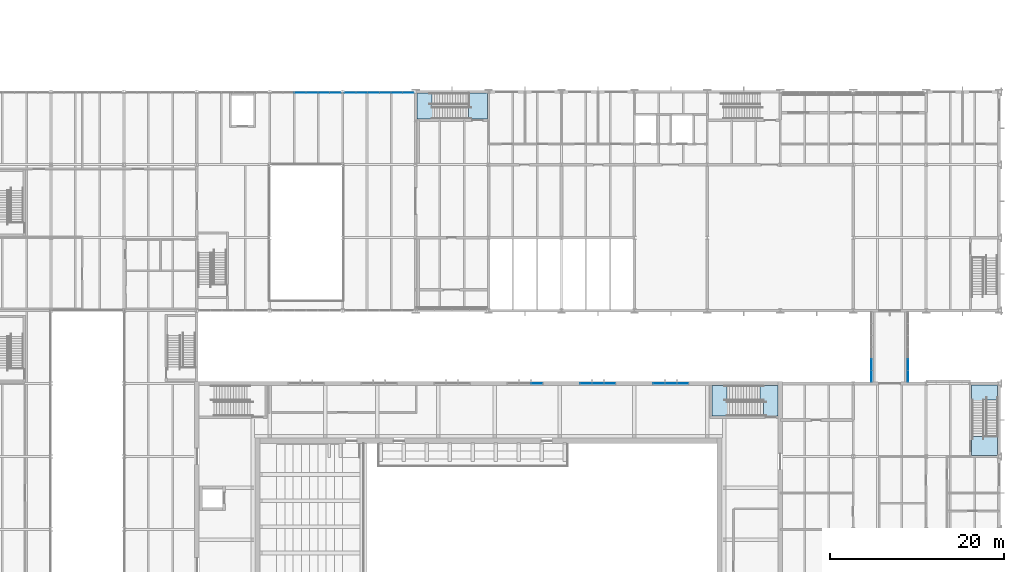
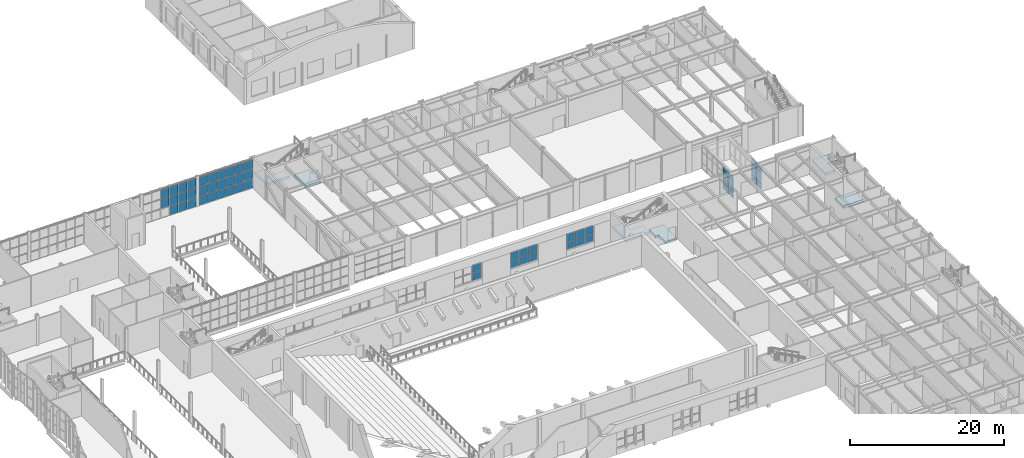
# One storey, part 63 of 127: 55 plates, 6 slabs, 10 elements without a shape of their own.
"""IFC4 building model written with IfcOpenShell, lengths in metres."""

from ifc_helpers import new_model, si_unit, direction, frame, origin, origin_2d, place, context, subcontext, project, spatial, polyline, rectangle, outline, extrude, material, layer, layer_set, type_object, element, aggregate, save


model = new_model("IFC4")

# Units and contexts
model_context = context("Model", 3, precision=1e-05, world=origin(), true_north=direction((0.0, 1.0)))
body_context = subcontext(model_context, "Body", "Model", "MODEL_VIEW")
ifc_project = project(units=[si_unit("LENGTHUNIT", "METRE"), si_unit("AREAUNIT", "SQUARE_METRE"), si_unit("VOLUMEUNIT", "CUBIC_METRE"), si_unit("PLANEANGLEUNIT", "RADIAN"), si_unit("MASSUNIT", "GRAM", prefix="KILO")], contexts=[model_context])

# Site, building, storey
site_placement = place(None, origin())
site = spatial("IfcSite", under=ifc_project, at=site_placement, CompositionType="ELEMENT")
building_placement = place(site_placement, origin())
building = spatial("IfcBuilding", under=site, at=building_placement, Name="Ljudholm Concert House", CompositionType="ELEMENT")
storey_placement = place(building_placement, frame((0.0, 0.0, 5.39990234375)))
storey = spatial("IfcBuildingStorey", under=building, at=storey_placement, Name="L01", CompositionType="ELEMENT", Elevation=5.39990234375)

# Curtain wall, plates
ifc_material_1 = material(Name="Aluminium curtain wall with impact-rated laminated glass", Category="aluminium")
curtain_wall_type_1 = type_object("IfcCurtainWallType", Name="CURTAIN WALL 1400", PredefinedType="NOTDEFINED", material=ifc_material_1)
curtain_wall_1_placement = place(storey_placement, origin())
curtain_wall_1 = element("IfcCurtainWall", 1, at=curtain_wall_1_placement, inside=storey, type_object=curtain_wall_type_1, Name="Promenade curtain wall", PredefinedType="NOTDEFINED")
ifc_material_2 = material(Name="Impact-rated laminated glass", Category="glass")
ifc_layer_1 = layer(ifc_material_2, 0.028076171875)
ifc_layer_set_1 = layer_set([ifc_layer_1], Name="Impact-rated laminated glass")
plate_type = type_object("IfcPlateType", Name="CURTAIN PANEL 28", PredefinedType="CURTAIN_PANEL", material=ifc_layer_set_1)
plate_1_placement = place(storey_placement, frame((68.364990234375, 96.39990234375, 0.960205078125), z_axis=(0.0, 0.0, 1.0), x_axis=(1.0, 0.0, 0.0)))
plate_1 = element("IfcPlate", 2, at=plate_1_placement, type_object=plate_type, Name="Curtain wall panel", PredefinedType="CURTAIN_PANEL", context=body_context, shape_type="SweptSolid", body=[
    extrude(rectangle(XDim=1.2900390625, YDim=0.028076171875, at=origin_2d()), origin(), (0.0, 0.0, 1.0), 1.2099609375),
])
plate_2_placement = place(storey_placement, frame((68.364990234375, 96.39990234375, 2.230224609375), z_axis=(0.0, 0.0, 1.0), x_axis=(1.0, 0.0, 0.0)))
plate_2 = element("IfcPlate", 3, at=plate_2_placement, type_object=plate_type, Name="Curtain wall panel", PredefinedType="CURTAIN_PANEL", context=body_context, shape_type="SweptSolid", body=[
    extrude(rectangle(XDim=1.2900390625, YDim=0.028076171875, at=origin_2d()), origin(), (0.0, 0.0, 1.0), 1.2099609375),
])
aggregate(curtain_wall_1, [plate_1, plate_2])

curtain_wall_2_placement = place(storey_placement, origin())
curtain_wall_2 = element("IfcCurtainWall", 4, at=curtain_wall_2_placement, inside=storey, type_object=curtain_wall_type_1, Name="Promenade curtain wall", PredefinedType="NOTDEFINED")
plate_3_placement = place(storey_placement, frame((74.034912109375, 96.39990234375, 0.960205078125), z_axis=(0.0, 0.0, 1.0), x_axis=(1.0, 0.0, 0.0)))
plate_3 = element("IfcPlate", 5, at=plate_3_placement, type_object=plate_type, Name="Curtain wall panel", PredefinedType="CURTAIN_PANEL", context=body_context, shape_type="SweptSolid", body=[
    extrude(rectangle(XDim=1.2900390625, YDim=0.028076171875, at=origin_2d()), origin(), (0.0, 0.0, 1.0), 1.2099609375),
])
plate_4_placement = place(storey_placement, frame((74.034912109375, 96.39990234375, 2.230224609375), z_axis=(0.0, 0.0, 1.0), x_axis=(1.0, 0.0, 0.0)))
plate_4 = element("IfcPlate", 6, at=plate_4_placement, type_object=plate_type, Name="Curtain wall panel", PredefinedType="CURTAIN_PANEL", context=body_context, shape_type="SweptSolid", body=[
    extrude(rectangle(XDim=1.2900390625, YDim=0.028076171875, at=origin_2d()), origin(), (0.0, 0.0, 1.0), 1.2099609375),
])
plate_5_placement = place(storey_placement, frame((75.39990234375, 96.39990234375, 0.960205078125), z_axis=(0.0, 0.0, 1.0), x_axis=(1.0, 0.0, 0.0)))
plate_5 = element("IfcPlate", 7, at=plate_5_placement, type_object=plate_type, Name="Curtain wall panel", PredefinedType="CURTAIN_PANEL", context=body_context, shape_type="SweptSolid", body=[
    extrude(rectangle(XDim=1.320068359375, YDim=0.028076171875, at=origin_2d()), origin(), (0.0, 0.0, 1.0), 1.2099609375),
])
plate_6_placement = place(storey_placement, frame((75.39990234375, 96.39990234375, 2.230224609375), z_axis=(0.0, 0.0, 1.0), x_axis=(1.0, 0.0, 0.0)))
plate_6 = element("IfcPlate", 8, at=plate_6_placement, type_object=plate_type, Name="Curtain wall panel", PredefinedType="CURTAIN_PANEL", context=body_context, shape_type="SweptSolid", body=[
    extrude(rectangle(XDim=1.320068359375, YDim=0.028076171875, at=origin_2d()), origin(), (0.0, 0.0, 1.0), 1.2099609375),
])
plate_7_placement = place(storey_placement, frame((76.764892578125, 96.39990234375, 0.960205078125), z_axis=(0.0, 0.0, 1.0), x_axis=(1.0, 0.0, 0.0)))
plate_7 = element("IfcPlate", 9, at=plate_7_placement, type_object=plate_type, Name="Curtain wall panel", PredefinedType="CURTAIN_PANEL", context=body_context, shape_type="SweptSolid", body=[
    extrude(rectangle(XDim=1.2900390625, YDim=0.028076171875, at=origin_2d()), origin(), (0.0, 0.0, 1.0), 1.2099609375),
])
plate_8_placement = place(storey_placement, frame((76.764892578125, 96.39990234375, 2.230224609375), z_axis=(0.0, 0.0, 1.0), x_axis=(1.0, 0.0, 0.0)))
plate_8 = element("IfcPlate", 10, at=plate_8_placement, type_object=plate_type, Name="Curtain wall panel", PredefinedType="CURTAIN_PANEL", context=body_context, shape_type="SweptSolid", body=[
    extrude(rectangle(XDim=1.2900390625, YDim=0.028076171875, at=origin_2d()), origin(), (0.0, 0.0, 1.0), 1.2099609375),
])
aggregate(curtain_wall_2, [plate_3, plate_4, plate_5, plate_6, plate_7, plate_8])

curtain_wall_3_placement = place(storey_placement, origin())
curtain_wall_3 = element("IfcCurtainWall", 11, at=curtain_wall_3_placement, inside=storey, type_object=curtain_wall_type_1, Name="Promenade curtain wall", PredefinedType="NOTDEFINED")
plate_9_placement = place(storey_placement, frame((82.43505859375, 96.39990234375, 0.960205078125), z_axis=(0.0, 0.0, 1.0), x_axis=(1.0, 0.0, 0.0)))
plate_9 = element("IfcPlate", 12, at=plate_9_placement, type_object=plate_type, Name="Curtain wall panel", PredefinedType="CURTAIN_PANEL", context=body_context, shape_type="SweptSolid", body=[
    extrude(rectangle(XDim=1.2900390625, YDim=0.028076171875, at=origin_2d()), origin(), (0.0, 0.0, 1.0), 1.2099609375),
])
plate_10_placement = place(storey_placement, frame((82.43505859375, 96.39990234375, 2.230224609375), z_axis=(0.0, 0.0, 1.0), x_axis=(1.0, 0.0, 0.0)))
plate_10 = element("IfcPlate", 13, at=plate_10_placement, type_object=plate_type, Name="Curtain wall panel", PredefinedType="CURTAIN_PANEL", context=body_context, shape_type="SweptSolid", body=[
    extrude(rectangle(XDim=1.2900390625, YDim=0.028076171875, at=origin_2d()), origin(), (0.0, 0.0, 1.0), 1.2099609375),
])
plate_11_placement = place(storey_placement, frame((83.800048828125, 96.39990234375, 0.960205078125), z_axis=(0.0, 0.0, 1.0), x_axis=(1.0, 0.0, 0.0)))
plate_11 = element("IfcPlate", 14, at=plate_11_placement, type_object=plate_type, Name="Curtain wall panel", PredefinedType="CURTAIN_PANEL", context=body_context, shape_type="SweptSolid", body=[
    extrude(rectangle(XDim=1.320068359375, YDim=0.028076171875, at=origin_2d()), origin(), (0.0, 0.0, 1.0), 1.2099609375),
])
plate_12_placement = place(storey_placement, frame((83.800048828125, 96.39990234375, 2.230224609375), z_axis=(0.0, 0.0, 1.0), x_axis=(1.0, 0.0, 0.0)))
plate_12 = element("IfcPlate", 15, at=plate_12_placement, type_object=plate_type, Name="Curtain wall panel", PredefinedType="CURTAIN_PANEL", context=body_context, shape_type="SweptSolid", body=[
    extrude(rectangle(XDim=1.320068359375, YDim=0.028076171875, at=origin_2d()), origin(), (0.0, 0.0, 1.0), 1.2099609375),
])
plate_13_placement = place(storey_placement, frame((85.1650390625, 96.39990234375, 0.960205078125), z_axis=(0.0, 0.0, 1.0), x_axis=(1.0, 0.0, 0.0)))
plate_13 = element("IfcPlate", 16, at=plate_13_placement, type_object=plate_type, Name="Curtain wall panel", PredefinedType="CURTAIN_PANEL", context=body_context, shape_type="SweptSolid", body=[
    extrude(rectangle(XDim=1.2900390625, YDim=0.028076171875, at=origin_2d()), origin(), (0.0, 0.0, 1.0), 1.2099609375),
])
plate_14_placement = place(storey_placement, frame((85.1650390625, 96.39990234375, 2.230224609375), z_axis=(0.0, 0.0, 1.0), x_axis=(1.0, 0.0, 0.0)))
plate_14 = element("IfcPlate", 17, at=plate_14_placement, type_object=plate_type, Name="Curtain wall panel", PredefinedType="CURTAIN_PANEL", context=body_context, shape_type="SweptSolid", body=[
    extrude(rectangle(XDim=1.2900390625, YDim=0.028076171875, at=origin_2d()), origin(), (0.0, 0.0, 1.0), 1.2099609375),
])
aggregate(curtain_wall_3, [plate_9, plate_10, plate_11, plate_12, plate_13, plate_14])

ifc_material_3 = material(Name="Aluminium curtain wall with impact-rated laminated glass", Category="aluminium")
curtain_wall_type_2 = type_object("IfcCurtainWallType", Name="CURTAIN WALL 1350", PredefinedType="NOTDEFINED", material=ifc_material_3)
curtain_wall_4_placement = place(storey_placement, origin())
curtain_wall_4 = element("IfcCurtainWall", 18, at=curtain_wall_4_placement, inside=storey, type_object=curtain_wall_type_2, Name="Bridge curtain wall", PredefinedType="NOTDEFINED")
plate_15_placement = place(storey_placement, frame((106.89990234375, 97.239990234375, 0.06005859375), z_axis=(0.0, 0.0, 1.0), x_axis=(0.0, 1.0, 0.0)))
plate_15 = element("IfcPlate", 19, at=plate_15_placement, type_object=plate_type, Name="Curtain wall panel", PredefinedType="CURTAIN_PANEL", context=body_context, shape_type="SweptSolid", body=[
    extrude(rectangle(XDim=1.260009765625, YDim=0.028076171875, at=origin_2d()), origin(), (0.0, 0.0, 1.0), 0.81005859375),
])
plate_16_placement = place(storey_placement, frame((106.89990234375, 97.239990234375, 0.93017578125), z_axis=(0.0, 0.0, 1.0), x_axis=(0.0, 1.0, 0.0)))
plate_16 = element("IfcPlate", 20, at=plate_16_placement, type_object=plate_type, Name="Curtain wall panel", PredefinedType="CURTAIN_PANEL", context=body_context, shape_type="SweptSolid", body=[
    extrude(rectangle(XDim=1.260009765625, YDim=0.028076171875, at=origin_2d()), origin(), (0.0, 0.0, 1.0), 1.739990234375),
])
plate_17_placement = place(storey_placement, frame((106.89990234375, 97.239990234375, 2.72998046875), z_axis=(0.0, 0.0, 1.0), x_axis=(0.0, 1.0, 0.0)))
plate_17 = element("IfcPlate", 21, at=plate_17_placement, type_object=plate_type, Name="Curtain wall panel", PredefinedType="CURTAIN_PANEL", context=body_context, shape_type="SweptSolid", body=[
    extrude(rectangle(XDim=1.260009765625, YDim=0.028076171875, at=origin_2d()), origin(), (0.0, 0.0, 1.0), 0.830078125),
])
plate_18_placement = place(storey_placement, frame((106.89990234375, 98.574951171875, 0.06005859375), z_axis=(0.0, 0.0, 1.0), x_axis=(0.0, 1.0, 0.0)))
plate_18 = element("IfcPlate", 22, at=plate_18_placement, type_object=plate_type, Name="Curtain wall panel", PredefinedType="CURTAIN_PANEL", context=body_context, shape_type="SweptSolid", body=[
    extrude(rectangle(XDim=1.2900390625, YDim=0.028076171875, at=origin_2d()), origin(), (0.0, 0.0, 1.0), 0.81005859375),
])
plate_19_placement = place(storey_placement, frame((106.89990234375, 98.574951171875, 0.93017578125), z_axis=(0.0, 0.0, 1.0), x_axis=(0.0, 1.0, 0.0)))
plate_19 = element("IfcPlate", 23, at=plate_19_placement, type_object=plate_type, Name="Curtain wall panel", PredefinedType="CURTAIN_PANEL", context=body_context, shape_type="SweptSolid", body=[
    extrude(rectangle(XDim=1.2900390625, YDim=0.028076171875, at=origin_2d()), origin(), (0.0, 0.0, 1.0), 1.739990234375),
])
plate_20_placement = place(storey_placement, frame((106.89990234375, 98.574951171875, 2.72998046875), z_axis=(0.0, 0.0, 1.0), x_axis=(0.0, 1.0, 0.0)))
plate_20 = element("IfcPlate", 24, at=plate_20_placement, type_object=plate_type, Name="Curtain wall panel", PredefinedType="CURTAIN_PANEL", context=body_context, shape_type="SweptSolid", body=[
    extrude(rectangle(XDim=1.2900390625, YDim=0.028076171875, at=origin_2d()), origin(), (0.0, 0.0, 1.0), 0.830078125),
])
aggregate(curtain_wall_4, [plate_15, plate_16, plate_17, plate_18, plate_19, plate_20])

curtain_wall_5_placement = place(storey_placement, origin())
curtain_wall_5 = element("IfcCurtainWall", 25, at=curtain_wall_5_placement, inside=storey, type_object=curtain_wall_type_2, Name="Bridge curtain wall", PredefinedType="NOTDEFINED")
plate_21_placement = place(storey_placement, frame((111.10009765625, 97.239990234375, 0.06005859375), z_axis=(0.0, 0.0, 1.0), x_axis=(0.0, 1.0, 0.0)))
plate_21 = element("IfcPlate", 26, at=plate_21_placement, type_object=plate_type, Name="Curtain wall panel", PredefinedType="CURTAIN_PANEL", context=body_context, shape_type="SweptSolid", body=[
    extrude(rectangle(XDim=1.260009765625, YDim=0.028076171875, at=origin_2d()), origin(), (0.0, 0.0, 1.0), 0.81005859375),
])
plate_22_placement = place(storey_placement, frame((111.10009765625, 97.239990234375, 0.93017578125), z_axis=(0.0, 0.0, 1.0), x_axis=(0.0, 1.0, 0.0)))
plate_22 = element("IfcPlate", 27, at=plate_22_placement, type_object=plate_type, Name="Curtain wall panel", PredefinedType="CURTAIN_PANEL", context=body_context, shape_type="SweptSolid", body=[
    extrude(rectangle(XDim=1.260009765625, YDim=0.028076171875, at=origin_2d()), origin(), (0.0, 0.0, 1.0), 1.739990234375),
])
plate_23_placement = place(storey_placement, frame((111.10009765625, 97.239990234375, 2.72998046875), z_axis=(0.0, 0.0, 1.0), x_axis=(0.0, 1.0, 0.0)))
plate_23 = element("IfcPlate", 28, at=plate_23_placement, type_object=plate_type, Name="Curtain wall panel", PredefinedType="CURTAIN_PANEL", context=body_context, shape_type="SweptSolid", body=[
    extrude(rectangle(XDim=1.260009765625, YDim=0.028076171875, at=origin_2d()), origin(), (0.0, 0.0, 1.0), 0.830078125),
])
plate_24_placement = place(storey_placement, frame((111.10009765625, 98.574951171875, 0.06005859375), z_axis=(0.0, 0.0, 1.0), x_axis=(0.0, 1.0, 0.0)))
plate_24 = element("IfcPlate", 29, at=plate_24_placement, type_object=plate_type, Name="Curtain wall panel", PredefinedType="CURTAIN_PANEL", context=body_context, shape_type="SweptSolid", body=[
    extrude(rectangle(XDim=1.2900390625, YDim=0.028076171875, at=origin_2d()), origin(), (0.0, 0.0, 1.0), 0.81005859375),
])
plate_25_placement = place(storey_placement, frame((111.10009765625, 98.574951171875, 0.93017578125), z_axis=(0.0, 0.0, 1.0), x_axis=(0.0, 1.0, 0.0)))
plate_25 = element("IfcPlate", 30, at=plate_25_placement, type_object=plate_type, Name="Curtain wall panel", PredefinedType="CURTAIN_PANEL", context=body_context, shape_type="SweptSolid", body=[
    extrude(rectangle(XDim=1.2900390625, YDim=0.028076171875, at=origin_2d()), origin(), (0.0, 0.0, 1.0), 1.739990234375),
])
plate_26_placement = place(storey_placement, frame((111.10009765625, 98.574951171875, 2.72998046875), z_axis=(0.0, 0.0, 1.0), x_axis=(0.0, 1.0, 0.0)))
plate_26 = element("IfcPlate", 31, at=plate_26_placement, type_object=plate_type, Name="Curtain wall panel", PredefinedType="CURTAIN_PANEL", context=body_context, shape_type="SweptSolid", body=[
    extrude(rectangle(XDim=1.2900390625, YDim=0.028076171875, at=origin_2d()), origin(), (0.0, 0.0, 1.0), 0.830078125),
])
aggregate(curtain_wall_5, [plate_21, plate_22, plate_23, plate_24, plate_25, plate_26])

curtain_wall_6_placement = place(storey_placement, origin())
curtain_wall_6 = element("IfcCurtainWall", 32, at=curtain_wall_6_placement, inside=storey, type_object=curtain_wall_type_1, Name="North curtain wall", PredefinedType="NOTDEFINED")
plate_27_placement = place(storey_placement, frame((41.131591796875, 129.89990234375, 1.570068359375), z_axis=(0.0, 0.0, 1.0), x_axis=(1.0, 0.0, 0.0)))
plate_27 = element("IfcPlate", 33, at=plate_27_placement, type_object=plate_type, Name="Curtain wall panel", PredefinedType="CURTAIN_PANEL", context=body_context, shape_type="SweptSolid", body=[
    extrude(rectangle(XDim=1.276611328125, YDim=0.028076171875, at=origin_2d()), origin(), (0.0, 0.0, 1.0), 1.47998046875),
])
plate_28_placement = place(storey_placement, frame((41.131591796875, 129.89990234375, 3.1103515625), z_axis=(0.0, 0.0, 1.0), x_axis=(1.0, 0.0, 0.0)))
plate_28 = element("IfcPlate", 34, at=plate_28_placement, type_object=plate_type, Name="Curtain wall panel", PredefinedType="CURTAIN_PANEL", context=body_context, shape_type="SweptSolid", body=[
    extrude(rectangle(XDim=1.276611328125, YDim=0.028076171875, at=origin_2d()), origin(), (0.0, 0.0, 1.0), 1.449951171875),
])
plate_29_placement = place(storey_placement, frame((42.46826171875, 129.89990234375, 0.06005859375), z_axis=(0.0, 0.0, 1.0), x_axis=(1.0, 0.0, 0.0)))
plate_29 = element("IfcPlate", 35, at=plate_29_placement, type_object=plate_type, Name="Curtain wall panel", PredefinedType="CURTAIN_PANEL", context=body_context, shape_type="SweptSolid", body=[
    extrude(rectangle(XDim=1.276611328125, YDim=0.028076171875, at=origin_2d()), origin(), (0.0, 0.0, 1.0), 1.449951171875),
])
plate_30_placement = place(storey_placement, frame((42.46826171875, 129.89990234375, 1.570068359375), z_axis=(0.0, 0.0, 1.0), x_axis=(1.0, 0.0, 0.0)))
plate_30 = element("IfcPlate", 36, at=plate_30_placement, type_object=plate_type, Name="Curtain wall panel", PredefinedType="CURTAIN_PANEL", context=body_context, shape_type="SweptSolid", body=[
    extrude(rectangle(XDim=1.276611328125, YDim=0.028076171875, at=origin_2d()), origin(), (0.0, 0.0, 1.0), 1.47998046875),
])
plate_31_placement = place(storey_placement, frame((42.46826171875, 129.89990234375, 3.1103515625), z_axis=(0.0, 0.0, 1.0), x_axis=(1.0, 0.0, 0.0)))
plate_31 = element("IfcPlate", 37, at=plate_31_placement, type_object=plate_type, Name="Curtain wall panel", PredefinedType="CURTAIN_PANEL", context=body_context, shape_type="SweptSolid", body=[
    extrude(rectangle(XDim=1.276611328125, YDim=0.028076171875, at=origin_2d()), origin(), (0.0, 0.0, 1.0), 1.449951171875),
])
plate_32_placement = place(storey_placement, frame((43.804931640625, 129.89990234375, 0.06005859375), z_axis=(0.0, 0.0, 1.0), x_axis=(1.0, 0.0, 0.0)))
plate_32 = element("IfcPlate", 38, at=plate_32_placement, type_object=plate_type, Name="Curtain wall panel", PredefinedType="CURTAIN_PANEL", context=body_context, shape_type="SweptSolid", body=[
    extrude(rectangle(XDim=1.276611328125, YDim=0.028076171875, at=origin_2d()), origin(), (0.0, 0.0, 1.0), 1.449951171875),
])
plate_33_placement = place(storey_placement, frame((43.804931640625, 129.89990234375, 1.570068359375), z_axis=(0.0, 0.0, 1.0), x_axis=(1.0, 0.0, 0.0)))
plate_33 = element("IfcPlate", 39, at=plate_33_placement, type_object=plate_type, Name="Curtain wall panel", PredefinedType="CURTAIN_PANEL", context=body_context, shape_type="SweptSolid", body=[
    extrude(rectangle(XDim=1.276611328125, YDim=0.028076171875, at=origin_2d()), origin(), (0.0, 0.0, 1.0), 1.47998046875),
])
plate_34_placement = place(storey_placement, frame((43.804931640625, 129.89990234375, 3.1103515625), z_axis=(0.0, 0.0, 1.0), x_axis=(1.0, 0.0, 0.0)))
plate_34 = element("IfcPlate", 40, at=plate_34_placement, type_object=plate_type, Name="Curtain wall panel", PredefinedType="CURTAIN_PANEL", context=body_context, shape_type="SweptSolid", body=[
    extrude(rectangle(XDim=1.276611328125, YDim=0.028076171875, at=origin_2d()), origin(), (0.0, 0.0, 1.0), 1.449951171875),
])
plate_35_placement = place(storey_placement, frame((45.126708984375, 129.89990234375, 0.06005859375), z_axis=(0.0, 0.0, 1.0), x_axis=(1.0, 0.0, 0.0)))
plate_35 = element("IfcPlate", 41, at=plate_35_placement, type_object=plate_type, Name="Curtain wall panel", PredefinedType="CURTAIN_PANEL", context=body_context, shape_type="SweptSolid", body=[
    extrude(rectangle(XDim=1.24658203125, YDim=0.028076171875, at=origin_2d()), origin(), (0.0, 0.0, 1.0), 1.449951171875),
])
plate_36_placement = place(storey_placement, frame((45.126708984375, 129.89990234375, 1.570068359375), z_axis=(0.0, 0.0, 1.0), x_axis=(1.0, 0.0, 0.0)))
plate_36 = element("IfcPlate", 42, at=plate_36_placement, type_object=plate_type, Name="Curtain wall panel", PredefinedType="CURTAIN_PANEL", context=body_context, shape_type="SweptSolid", body=[
    extrude(rectangle(XDim=1.24658203125, YDim=0.028076171875, at=origin_2d()), origin(), (0.0, 0.0, 1.0), 1.47998046875),
])
plate_37_placement = place(storey_placement, frame((45.126708984375, 129.89990234375, 3.1103515625), z_axis=(0.0, 0.0, 1.0), x_axis=(1.0, 0.0, 0.0)))
plate_37 = element("IfcPlate", 43, at=plate_37_placement, type_object=plate_type, Name="Curtain wall panel", PredefinedType="CURTAIN_PANEL", context=body_context, shape_type="SweptSolid", body=[
    extrude(rectangle(XDim=1.24658203125, YDim=0.028076171875, at=origin_2d()), origin(), (0.0, 0.0, 1.0), 1.449951171875),
])
aggregate(curtain_wall_6, [plate_27, plate_28, plate_29, plate_30, plate_31, plate_32, plate_33, plate_34, plate_35, plate_36, plate_37])

curtain_wall_7_placement = place(storey_placement, origin())
curtain_wall_7 = element("IfcCurtainWall", 44, at=curtain_wall_7_placement, inside=storey, type_object=curtain_wall_type_1, Name="North curtain wall", PredefinedType="NOTDEFINED")
plate_38_placement = place(storey_placement, frame((46.876708984375, 129.89990234375, 0.06005859375), z_axis=(0.0, 0.0, 1.0), x_axis=(1.0, 0.0, 0.0)))
plate_38 = element("IfcPlate", 45, at=plate_38_placement, type_object=plate_type, Name="Curtain wall panel", PredefinedType="CURTAIN_PANEL", context=body_context, shape_type="SweptSolid", body=[
    extrude(rectangle(XDim=1.25341796875, YDim=0.028076171875, at=origin_2d()), origin(), (0.0, 0.0, 1.0), 1.449951171875),
])
plate_39_placement = place(storey_placement, frame((46.876708984375, 129.89990234375, 1.570068359375), z_axis=(0.0, 0.0, 1.0), x_axis=(1.0, 0.0, 0.0)))
plate_39 = element("IfcPlate", 46, at=plate_39_placement, type_object=plate_type, Name="Curtain wall panel", PredefinedType="CURTAIN_PANEL", context=body_context, shape_type="SweptSolid", body=[
    extrude(rectangle(XDim=1.25341796875, YDim=0.028076171875, at=origin_2d()), origin(), (0.0, 0.0, 1.0), 1.47998046875),
])
plate_40_placement = place(storey_placement, frame((46.876708984375, 129.89990234375, 3.1103515625), z_axis=(0.0, 0.0, 1.0), x_axis=(1.0, 0.0, 0.0)))
plate_40 = element("IfcPlate", 47, at=plate_40_placement, type_object=plate_type, Name="Curtain wall panel", PredefinedType="CURTAIN_PANEL", context=body_context, shape_type="SweptSolid", body=[
    extrude(rectangle(XDim=1.25341796875, YDim=0.028076171875, at=origin_2d()), origin(), (0.0, 0.0, 1.0), 1.449951171875),
])
plate_41_placement = place(storey_placement, frame((48.205078125, 129.89990234375, 0.06005859375), z_axis=(0.0, 0.0, 1.0), x_axis=(1.0, 0.0, 0.0)))
plate_41 = element("IfcPlate", 48, at=plate_41_placement, type_object=plate_type, Name="Curtain wall panel", PredefinedType="CURTAIN_PANEL", context=body_context, shape_type="SweptSolid", body=[
    extrude(rectangle(XDim=1.283447265625, YDim=0.028076171875, at=origin_2d()), origin(), (0.0, 0.0, 1.0), 1.449951171875),
])
plate_42_placement = place(storey_placement, frame((48.205078125, 129.89990234375, 1.570068359375), z_axis=(0.0, 0.0, 1.0), x_axis=(1.0, 0.0, 0.0)))
plate_42 = element("IfcPlate", 49, at=plate_42_placement, type_object=plate_type, Name="Curtain wall panel", PredefinedType="CURTAIN_PANEL", context=body_context, shape_type="SweptSolid", body=[
    extrude(rectangle(XDim=1.283447265625, YDim=0.028076171875, at=origin_2d()), origin(), (0.0, 0.0, 1.0), 1.47998046875),
])
plate_43_placement = place(storey_placement, frame((48.205078125, 129.89990234375, 3.1103515625), z_axis=(0.0, 0.0, 1.0), x_axis=(1.0, 0.0, 0.0)))
plate_43 = element("IfcPlate", 50, at=plate_43_placement, type_object=plate_type, Name="Curtain wall panel", PredefinedType="CURTAIN_PANEL", context=body_context, shape_type="SweptSolid", body=[
    extrude(rectangle(XDim=1.283447265625, YDim=0.028076171875, at=origin_2d()), origin(), (0.0, 0.0, 1.0), 1.449951171875),
])
plate_44_placement = place(storey_placement, frame((49.54833984375, 129.89990234375, 0.06005859375), z_axis=(0.0, 0.0, 1.0), x_axis=(1.0, 0.0, 0.0)))
plate_44 = element("IfcPlate", 51, at=plate_44_placement, type_object=plate_type, Name="Curtain wall panel", PredefinedType="CURTAIN_PANEL", context=body_context, shape_type="SweptSolid", body=[
    extrude(rectangle(XDim=1.283447265625, YDim=0.028076171875, at=origin_2d()), origin(), (0.0, 0.0, 1.0), 1.449951171875),
])
plate_45_placement = place(storey_placement, frame((49.54833984375, 129.89990234375, 1.570068359375), z_axis=(0.0, 0.0, 1.0), x_axis=(1.0, 0.0, 0.0)))
plate_45 = element("IfcPlate", 52, at=plate_45_placement, type_object=plate_type, Name="Curtain wall panel", PredefinedType="CURTAIN_PANEL", context=body_context, shape_type="SweptSolid", body=[
    extrude(rectangle(XDim=1.283447265625, YDim=0.028076171875, at=origin_2d()), origin(), (0.0, 0.0, 1.0), 1.47998046875),
])
plate_46_placement = place(storey_placement, frame((49.54833984375, 129.89990234375, 3.1103515625), z_axis=(0.0, 0.0, 1.0), x_axis=(1.0, 0.0, 0.0)))
plate_46 = element("IfcPlate", 53, at=plate_46_placement, type_object=plate_type, Name="Curtain wall panel", PredefinedType="CURTAIN_PANEL", context=body_context, shape_type="SweptSolid", body=[
    extrude(rectangle(XDim=1.283447265625, YDim=0.028076171875, at=origin_2d()), origin(), (0.0, 0.0, 1.0), 1.449951171875),
])
plate_47_placement = place(storey_placement, frame((50.8916015625, 129.89990234375, 0.06005859375), z_axis=(0.0, 0.0, 1.0), x_axis=(1.0, 0.0, 0.0)))
plate_47 = element("IfcPlate", 54, at=plate_47_placement, type_object=plate_type, Name="Curtain wall panel", PredefinedType="CURTAIN_PANEL", context=body_context, shape_type="SweptSolid", body=[
    extrude(rectangle(XDim=1.283447265625, YDim=0.028076171875, at=origin_2d()), origin(), (0.0, 0.0, 1.0), 1.449951171875),
])
plate_48_placement = place(storey_placement, frame((50.8916015625, 129.89990234375, 1.570068359375), z_axis=(0.0, 0.0, 1.0), x_axis=(1.0, 0.0, 0.0)))
plate_48 = element("IfcPlate", 55, at=plate_48_placement, type_object=plate_type, Name="Curtain wall panel", PredefinedType="CURTAIN_PANEL", context=body_context, shape_type="SweptSolid", body=[
    extrude(rectangle(XDim=1.283447265625, YDim=0.028076171875, at=origin_2d()), origin(), (0.0, 0.0, 1.0), 1.47998046875),
])
plate_49_placement = place(storey_placement, frame((50.8916015625, 129.89990234375, 3.1103515625), z_axis=(0.0, 0.0, 1.0), x_axis=(1.0, 0.0, 0.0)))
plate_49 = element("IfcPlate", 56, at=plate_49_placement, type_object=plate_type, Name="Curtain wall panel", PredefinedType="CURTAIN_PANEL", context=body_context, shape_type="SweptSolid", body=[
    extrude(rectangle(XDim=1.283447265625, YDim=0.028076171875, at=origin_2d()), origin(), (0.0, 0.0, 1.0), 1.449951171875),
])
plate_50_placement = place(storey_placement, frame((52.235107421875, 129.89990234375, 0.06005859375), z_axis=(0.0, 0.0, 1.0), x_axis=(1.0, 0.0, 0.0)))
plate_50 = element("IfcPlate", 57, at=plate_50_placement, type_object=plate_type, Name="Curtain wall panel", PredefinedType="CURTAIN_PANEL", context=body_context, shape_type="SweptSolid", body=[
    extrude(rectangle(XDim=1.283447265625, YDim=0.028076171875, at=origin_2d()), origin(), (0.0, 0.0, 1.0), 1.449951171875),
])
plate_51_placement = place(storey_placement, frame((52.235107421875, 129.89990234375, 1.570068359375), z_axis=(0.0, 0.0, 1.0), x_axis=(1.0, 0.0, 0.0)))
plate_51 = element("IfcPlate", 58, at=plate_51_placement, type_object=plate_type, Name="Curtain wall panel", PredefinedType="CURTAIN_PANEL", context=body_context, shape_type="SweptSolid", body=[
    extrude(rectangle(XDim=1.283447265625, YDim=0.028076171875, at=origin_2d()), origin(), (0.0, 0.0, 1.0), 1.47998046875),
])
plate_52_placement = place(storey_placement, frame((52.235107421875, 129.89990234375, 3.1103515625), z_axis=(0.0, 0.0, 1.0), x_axis=(1.0, 0.0, 0.0)))
plate_52 = element("IfcPlate", 59, at=plate_52_placement, type_object=plate_type, Name="Curtain wall panel", PredefinedType="CURTAIN_PANEL", context=body_context, shape_type="SweptSolid", body=[
    extrude(rectangle(XDim=1.283447265625, YDim=0.028076171875, at=origin_2d()), origin(), (0.0, 0.0, 1.0), 1.449951171875),
])
plate_53_placement = place(storey_placement, frame((53.563232421875, 129.89990234375, 0.06005859375), z_axis=(0.0, 0.0, 1.0), x_axis=(1.0, 0.0, 0.0)))
plate_53 = element("IfcPlate", 60, at=plate_53_placement, type_object=plate_type, Name="Curtain wall panel", PredefinedType="CURTAIN_PANEL", context=body_context, shape_type="SweptSolid", body=[
    extrude(rectangle(XDim=1.25341796875, YDim=0.028076171875, at=origin_2d()), origin(), (0.0, 0.0, 1.0), 1.449951171875),
])
plate_54_placement = place(storey_placement, frame((53.563232421875, 129.89990234375, 1.570068359375), z_axis=(0.0, 0.0, 1.0), x_axis=(1.0, 0.0, 0.0)))
plate_54 = element("IfcPlate", 61, at=plate_54_placement, type_object=plate_type, Name="Curtain wall panel", PredefinedType="CURTAIN_PANEL", context=body_context, shape_type="SweptSolid", body=[
    extrude(rectangle(XDim=1.25341796875, YDim=0.028076171875, at=origin_2d()), origin(), (0.0, 0.0, 1.0), 1.47998046875),
])
plate_55_placement = place(storey_placement, frame((53.563232421875, 129.89990234375, 3.1103515625), z_axis=(0.0, 0.0, 1.0), x_axis=(1.0, 0.0, 0.0)))
plate_55 = element("IfcPlate", 62, at=plate_55_placement, type_object=plate_type, Name="Curtain wall panel", PredefinedType="CURTAIN_PANEL", context=body_context, shape_type="SweptSolid", body=[
    extrude(rectangle(XDim=1.25341796875, YDim=0.028076171875, at=origin_2d()), origin(), (0.0, 0.0, 1.0), 1.449951171875),
])
aggregate(curtain_wall_7, [plate_38, plate_39, plate_40, plate_41, plate_42, plate_43, plate_44, plate_45, plate_46, plate_47, plate_48, plate_49, plate_50, plate_51, plate_52, plate_53, plate_54, plate_55])

# Slab
ifc_material_4 = material(Name="Concrete 5,000 psi", Category="concrete")
ifc_layer_2 = layer(ifc_material_4, 0.39990234375)
ifc_layer_set_2 = layer_set([ifc_layer_2], Name="Concrete 5,000 psi")
slab_type_1 = type_object("IfcSlabType", Name="RC FLOOR SLAB 400", PredefinedType="FLOOR", material=ifc_layer_set_2)
slab_1_placement = place(storey_placement, frame((0.0, 0.0, -0.39990234375)))
element("IfcSlab", 63, at=slab_1_placement, inside=storey, type_object=slab_type_1, Name="Stair arrival floor EH4", PredefinedType="FLOOR", context=body_context, shape_type="SweptSolid", body=[
    extrude(outline(polyline([(96.14990234375, 96.14990234375), (96.14990234375, 92.64990234375), (94.449462890625, 92.64990234375), (94.449462890625, 94.449951171875), (94.050048828125, 94.449951171875), (94.050048828125, 96.14990234375), (94.449462890625, 96.14990234375), (94.449951171875, 96.14990234375), (96.14990234375, 96.14990234375)])), origin(), (0.0, 0.0, 1.0), 0.39990234375),
])

# Stair, slab
ifc_material_5 = material(Name="Concrete 5,000 psi", Category="concrete")
stair_type_1 = type_object("IfcStairType", Name="RC STAIR 1700x171x323", PredefinedType="HALF_TURN_STAIR", material=ifc_material_5)
stair_1_placement = place(storey_placement, origin())
stair_1 = element("IfcStair", 64, at=stair_1_placement, inside=storey, type_object=stair_type_1, Name="Exit stair EH4", PredefinedType="HALF_TURN_STAIR")
ifc_material_6 = material(Name="Concrete 5,000 psi", Category="concrete")
ifc_layer_3 = layer(ifc_material_6, 0.409912109375)
ifc_layer_set_3 = layer_set([ifc_layer_3], Name="Concrete 5,000 psi")
slab_type_2 = type_object("IfcSlabType", Name="RC LANDING 410", PredefinedType="LANDING", material=ifc_layer_set_3)
slab_2_placement = place(storey_placement, frame((0.0, 0.0, 1.989990234375)))
slab_2 = element("IfcSlab", 65, at=slab_2_placement, type_object=slab_type_2, Name="Stair landing", PredefinedType="LANDING", context=body_context, shape_type="SweptSolid", body=[
    extrude(outline(polyline([(92.080078125, 92.64990234375), (92.080078125, 94.35009765625), (90.25048828125, 94.35009765625), (90.25048828125, 96.14990234375), (88.550048828125, 96.14990234375), (88.550048828125, 92.64990234375), (92.080078125, 92.64990234375)])), origin(), (0.0, 0.0, 1.0), 0.41015625),
])
aggregate(stair_1, [slab_2])

ifc_material_7 = material(Name="Concrete 5,000 psi", Category="concrete")
stair_type_2 = type_object("IfcStairType", Name="RC STAIR 1350x160x300", PredefinedType="HALF_TURN_STAIR", material=ifc_material_7)
stair_2_placement = place(storey_placement, origin())
stair_2 = element("IfcStair", 66, at=stair_2_placement, inside=storey, type_object=stair_type_2, Name="Stair SB4", PredefinedType="HALF_TURN_STAIR")
slab_3_placement = place(storey_placement, frame((0.0, 0.0, 1.989990234375)))
slab_3 = element("IfcSlab", 67, at=slab_3_placement, type_object=slab_type_2, Name="Stair landing", PredefinedType="LANDING", context=body_context, shape_type="SweptSolid", body=[
    extrude(outline(polyline([(118.449951171875, 92.695068359375), (119.85009765625, 92.695068359375), (119.85009765625, 94.5244140625), (121.449951171875, 94.5244140625), (121.449951171875, 96.25), (118.449951171875, 96.25), (118.449951171875, 92.695068359375)])), origin(), (0.0, 0.0, 1.0), 0.41015625),
])
aggregate(stair_2, [slab_3])

stair_3_placement = place(storey_placement, origin())
stair_3 = element("IfcStair", 68, at=stair_3_placement, inside=storey, type_object=stair_type_2, Name="Stair R1", PredefinedType="HALF_TURN_STAIR")
slab_4_placement = place(storey_placement, frame((0.0, 0.0, 1.989990234375)))
slab_4 = element("IfcSlab", 69, at=slab_4_placement, type_object=slab_type_2, Name="Stair landing", PredefinedType="LANDING", context=body_context, shape_type="SweptSolid", body=[
    extrude(outline(polyline([(58.10498046875, 126.85009765625), (58.10498046875, 128.25), (56.275390625, 128.25), (56.275390625, 129.85009765625), (54.550048828125, 129.85009765625), (54.550048828125, 126.85009765625), (58.10498046875, 126.85009765625)])), origin(), (0.0, 0.0, 1.0), 0.41015625),
])
aggregate(stair_3, [slab_4])

# Slabs
slab_5_placement = place(storey_placement, frame((0.0, 0.0, -0.409912109375)))
element("IfcSlab", 70, at=slab_5_placement, inside=storey, type_object=slab_type_2, Name="Stair arrival slab", PredefinedType="LANDING", context=body_context, shape_type="SweptSolid", body=[
    extrude(outline(polyline([(121.449951171875, 88.125), (118.449951171875, 88.125), (118.449951171875, 90.325439453125), (121.449951171875, 90.325439453125), (121.449951171875, 88.125)])), origin(), (0.0, 0.0, 1.0), 0.409912109375),
])
slab_6_placement = place(storey_placement, frame((0.0, 0.0, -0.409912109375)))
element("IfcSlab", 71, at=slab_6_placement, inside=storey, type_object=slab_type_2, Name="Stair arrival slab", PredefinedType="LANDING", context=body_context, shape_type="SweptSolid", body=[
    extrude(outline(polyline([(62.675048828125, 129.85009765625), (62.675048828125, 126.85009765625), (60.474609375, 126.85009765625), (60.474609375, 129.85009765625), (62.675048828125, 129.85009765625)])), origin(), (0.0, 0.0, 1.0), 0.409912109375),
])

save(model, "model.ifc")
